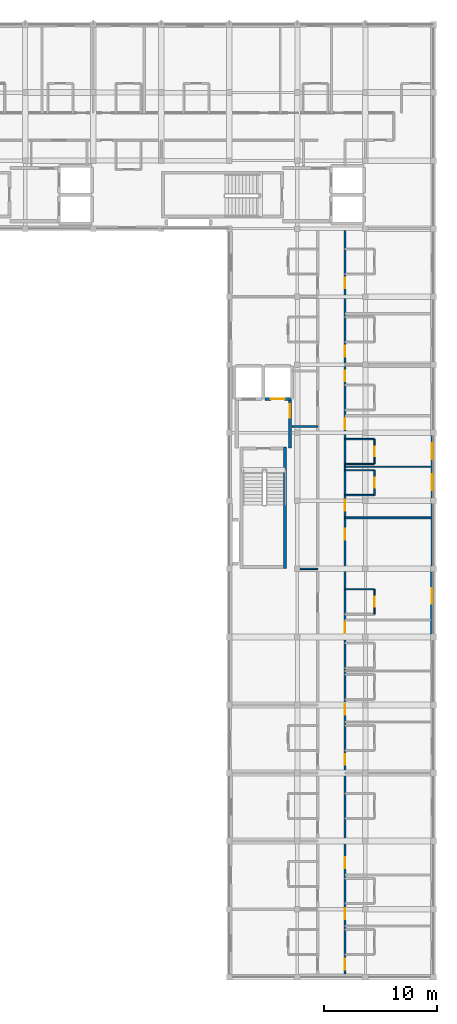
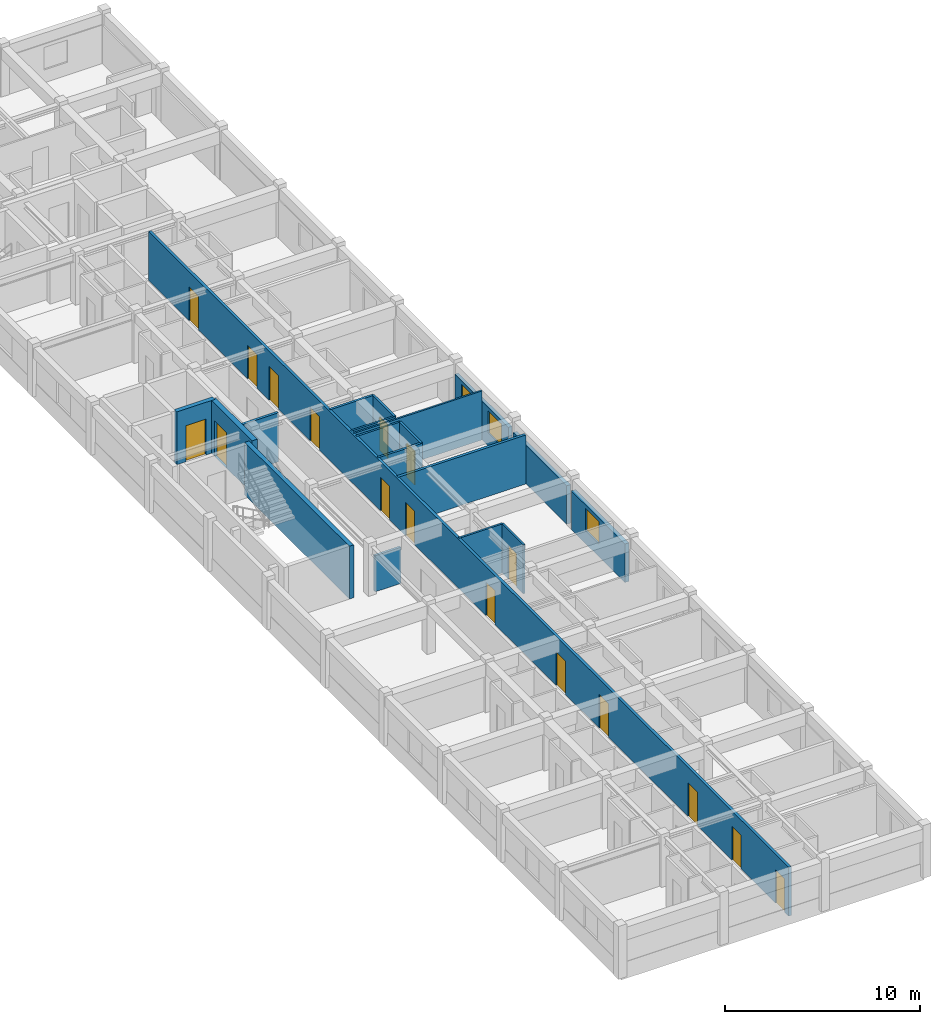
# One storey, part 5 of 15: 19 walls, 17 doors, 3 windows, 20 openings.
"""IFC4 building model written with IfcOpenShell, lengths in metres."""

from ifc_helpers import new_model, si_unit, direction, frame, frame_2d, origin, place, context, subcontext, project, spatial, rectangle, extrude, material, layer, layer_set, type_object, element, fill, save


model = new_model("IFC4")

# Units and contexts
model_context = context("Model", 3, precision=1e-05, world=origin(), true_north=direction((0.0, 1.0)))
body_context = subcontext(model_context, "Body", "Model", "MODEL_VIEW")
ifc_project = project(units=[si_unit("LENGTHUNIT", "METRE"), si_unit("AREAUNIT", "SQUARE_METRE"), si_unit("VOLUMEUNIT", "CUBIC_METRE"), si_unit("PLANEANGLEUNIT", "RADIAN"), si_unit("MASSUNIT", "GRAM", prefix="KILO"), si_unit("THERMODYNAMICTEMPERATUREUNIT", "KELVIN"), si_unit("POWERUNIT", "WATT")], contexts=[model_context])

# Site, building, storey
site_placement = place(None, origin())
site = spatial("IfcSite", under=ifc_project, at=site_placement, CompositionType="ELEMENT")
building_placement = place(site_placement, origin())
building = spatial("IfcBuilding", under=site, at=building_placement, Name="Phaisarnlok Congress Hotel", CompositionType="ELEMENT")
storey_placement = place(building_placement, frame((0.0, 0.0, 41.39990234375)))
storey = spatial("IfcBuildingStorey", under=building, at=storey_placement, Name="L10", CompositionType="ELEMENT", Elevation=41.39990234375)

# Wall, openings, windows
ifc_material_1 = material(Name="Concrete C40/50", Category="concrete")
ifc_layer_1 = layer(ifc_material_1, 0.2099609375, Name="Concrete C40/50")
ifc_layer_set_1 = layer_set([ifc_layer_1], Name="Concrete C40/50")
wall_type_1 = type_object("IfcWallType", Name="WL-EXT-210", PredefinedType="SOLIDWALL", material=ifc_layer_set_1)
wall_1_placement = place(storey_placement, frame((179.89501953125, 84.2548828125, 0.0), z_axis=(0.0, 0.0, 1.0), x_axis=(0.0, 1.0, 0.0)))
wall_1 = element("IfcWall", 1, at=wall_1_placement, inside=storey, type_object=wall_type_1, Name="Exterior wall EW-07 (L10)", PredefinedType="SOLIDWALL", context=body_context, shape_type="SweptSolid", body=[
    extrude(rectangle(XDim=5.490234375, YDim=0.2099609375, at=frame_2d((2.7451171875, 0.0))), origin(), (0.0, 0.0, 1.0), 2.41015625),
])
opening_1_placement = place(wall_1_placement, frame((0.681884765625, 0.0, 0.800048828125)))
opening_1 = element("IfcOpeningElement", 2, at=opening_1_placement, cuts=wall_1, Name="Opening W-13", PredefinedType="OPENING", context=body_context, shape_type="SweptSolid", body=[
    extrude(rectangle(XDim=1.39990234375, YDim=1.39990234375, at=frame_2d((0.699951171875, 0.699951171875))), frame((0.0, 0.114990234375, 0.0), z_axis=(0.0, -1.0, 0.0), x_axis=(1.0, 0.0, 0.0)), (0.0, 0.0, 1.0), 0.22998046875),
])
opening_2_placement = place(wall_1_placement, frame((3.407958984375, 0.0, 0.800048828125)))
opening_2 = element("IfcOpeningElement", 3, at=opening_2_placement, cuts=wall_1, Name="Opening W-13", PredefinedType="OPENING", context=body_context, shape_type="SweptSolid", body=[
    extrude(rectangle(XDim=1.39990234375, YDim=1.39990234375, at=frame_2d((0.699951171875, 0.699951171875))), frame((0.0, 0.114990234375, 0.0), z_axis=(0.0, -1.0, 0.0), x_axis=(1.0, 0.0, 0.0)), (0.0, 0.0, 1.0), 0.22998046875),
])
ifc_material_2 = material(Name="Thermally Broken Aluminium & Low-E Double Glazing", Category="aluminium")
window_type = type_object("IfcWindowType", Name="WIN-POD-1400", PartitioningType="SINGLE_PANEL", PredefinedType="WINDOW", material=ifc_material_2)
window_1_placement = place(opening_1_placement, origin())
window_1 = element("IfcWindow", 4, at=window_1_placement, inside=storey, type_object=window_type, Name="Guestroom window W-13 (L10)", OverallHeight=1.39990234375, OverallWidth=1.39990234375, PartitioningType="SINGLE_PANEL", PredefinedType="WINDOW", context=body_context, shape_type="SweptSolid", body=[
    extrude(rectangle(XDim=1.39990234375, YDim=1.39990234375, at=frame_2d((0.699951171875, 0.699951171875))), frame((0.0, 0.030029296875, 0.0), z_axis=(0.0, -1.0, 0.0), x_axis=(1.0, 0.0, 0.0)), (0.0, 0.0, 1.0), 0.06005859375),
])
fill(opening_1, window_1)
window_2_placement = place(opening_2_placement, origin())
window_2 = element("IfcWindow", 5, at=window_2_placement, inside=storey, type_object=window_type, Name="Guestroom window W-13 (L10)", OverallHeight=1.39990234375, OverallWidth=1.39990234375, PartitioningType="SINGLE_PANEL", PredefinedType="WINDOW", context=body_context, shape_type="SweptSolid", body=[
    extrude(rectangle(XDim=1.39990234375, YDim=1.39990234375, at=frame_2d((0.699951171875, 0.699951171875))), frame((0.0, 0.030029296875, 0.0), z_axis=(0.0, -1.0, 0.0), x_axis=(1.0, 0.0, 0.0)), (0.0, 0.0, 1.0), 0.06005859375),
])
fill(opening_2, window_2)

# Wall
ifc_layer_2 = layer(ifc_material_1, 0.22998046875, Name="Concrete C40/50")
ifc_layer_set_2 = layer_set([ifc_layer_2], Name="Concrete C40/50")
wall_type_2 = type_object("IfcWallType", Name="WL-EXT-230", PredefinedType="SOLIDWALL", material=ifc_layer_set_2)
wall_2_placement = place(storey_placement, frame((179.885009765625, 78.2548828125, 0.0), z_axis=(0.0, 0.0, 1.0), x_axis=(0.0, 1.0, 0.0)))
element("IfcWall", 6, at=wall_2_placement, inside=storey, type_object=wall_type_2, Name="Exterior wall EW-06 (L10)", PredefinedType="SOLIDWALL", context=body_context, shape_type="SweptSolid", body=[
    extrude(rectangle(XDim=5.490234375, YDim=0.22998046875, at=frame_2d((2.7451171875, 0.0))), origin(), (0.0, 0.0, 1.0), 2.41015625),
])

# Wall, opening, window
ifc_layer_3 = layer(ifc_material_1, 0.25, Name="Concrete C40/50")
ifc_layer_set_3 = layer_set([ifc_layer_3], Name="Concrete C40/50")
wall_type_3 = type_object("IfcWallType", Name="WL-EXT-250", PredefinedType="SOLIDWALL", material=ifc_layer_set_3)
wall_3_placement = place(storey_placement, frame((179.875, 72.2548828125, 0.0), z_axis=(0.0, 0.0, 1.0), x_axis=(0.0, 1.0, 0.0)))
wall_3 = element("IfcWall", 7, at=wall_3_placement, inside=storey, type_object=wall_type_3, Name="Exterior wall EW-05 (L10)", PredefinedType="SOLIDWALL", context=body_context, shape_type="SweptSolid", body=[
    extrude(rectangle(XDim=5.490234375, YDim=0.25, at=frame_2d((2.7451171875, 0.0))), origin(), (0.0, 0.0, 1.0), 2.41015625),
])
opening_3_placement = place(wall_3_placement, frame((2.657958984375, 0.0, 0.800048828125)))
opening_3 = element("IfcOpeningElement", 8, at=opening_3_placement, cuts=wall_3, Name="Opening W-13", PredefinedType="OPENING", context=body_context, shape_type="SweptSolid", body=[
    extrude(rectangle(XDim=1.39990234375, YDim=1.39990234375, at=frame_2d((0.699951171875, 0.699951171875))), frame((0.0, 0.135009765625, 0.0), z_axis=(0.0, -1.0, 0.0), x_axis=(1.0, 0.0, 0.0)), (0.0, 0.0, 1.0), 0.27001953125),
])
window_3_placement = place(opening_3_placement, origin())
window_3 = element("IfcWindow", 9, at=window_3_placement, inside=storey, type_object=window_type, Name="Guestroom window W-13 (L10)", OverallHeight=1.39990234375, OverallWidth=1.39990234375, PartitioningType="SINGLE_PANEL", PredefinedType="WINDOW", context=body_context, shape_type="SweptSolid", body=[
    extrude(rectangle(XDim=1.39990234375, YDim=1.39990234375, at=frame_2d((0.699951171875, 0.699951171875))), frame((0.0, 0.030029296875, 0.0), z_axis=(0.0, -1.0, 0.0), x_axis=(1.0, 0.0, 0.0)), (0.0, 0.0, 1.0), 0.06005859375),
])
fill(opening_3, window_3)

# Wall
ifc_material_3 = material(Name="Service Riser Shaftwall Partition", Category="gypsum")
ifc_layer_4 = layer(ifc_material_3, 0.10498046875, Name="Service Riser Shaftwall Partition")
ifc_layer_set_4 = layer_set([ifc_layer_4], Name="Service Riser Shaftwall Partition")
wall_type_4 = type_object("IfcWallType", Name="WL-INT-105", PredefinedType="PARTITIONING", material=ifc_layer_set_4)
wall_4_placement = place(storey_placement, frame((172.199951171875, 87.0, 0.0), z_axis=(0.0, 0.0, 1.0), x_axis=(1.0, 0.0, 0.0)))
element("IfcWall", 10, at=wall_4_placement, inside=storey, type_object=wall_type_4, Name="Interior partition wall IW-08 (L10)", PredefinedType="PARTITIONING", context=body_context, shape_type="SweptSolid", body=[
    extrude(rectangle(XDim=7.5849609375, YDim=0.10498046875, at=frame_2d((3.79248046875, 0.0))), origin(), (0.0, 0.0, 1.0), 3.06005859375),
])

# Wall, opening, door
ifc_material_4 = material(Name="Lightweight Metal-Stud Gypsum Partition", Category="gypsum")
ifc_layer_5 = layer(ifc_material_4, 0.1201171875, Name="Lightweight Metal-Stud Gypsum Partition")
ifc_layer_set_5 = layer_set([ifc_layer_5], Name="Lightweight Metal-Stud Gypsum Partition")
wall_type_5 = type_object("IfcWallType", Name="WL-INT-120", PredefinedType="PARTITIONING", material=ifc_layer_set_5)
wall_5_placement = place(storey_placement, frame((174.800048828125, 74.0, 0.0), z_axis=(0.0, 0.0, 1.0), x_axis=(0.0, 1.0, 0.0)))
wall_5 = element("IfcWall", 11, at=wall_5_placement, inside=storey, type_object=wall_type_5, Name="Interior partition wall IW-07 (L10)", PredefinedType="PARTITIONING", context=body_context, shape_type="SweptSolid", body=[
    extrude(rectangle(XDim=2.199951171875, YDim=0.1201171875, at=frame_2d((1.10009765625, 0.0))), origin(), (0.0, 0.0, 1.0), 3.06005859375),
])
opening_4_placement = place(wall_5_placement, frame((0.675048828125, 0.0, 0.0)))
opening_4 = element("IfcOpeningElement", 12, at=opening_4_placement, cuts=wall_5, Name="Opening D-0597", PredefinedType="OPENING", context=body_context, shape_type="SweptSolid", body=[
    extrude(rectangle(XDim=0.85009765625, YDim=2.10009765625, at=frame_2d((0.425048828125, 1.050048828125))), frame((0.0, 0.070068359375, 0.0), z_axis=(0.0, -1.0, 0.0), x_axis=(1.0, 0.0, 0.0)), (0.0, 0.0, 1.0), 0.14013671875),
])
ifc_material_5 = material(Name="Moisture-Resistant Lacquered Timber", Category="wood")
door_type_1 = type_object("IfcDoorType", Name="DR-BATH-850", OperationType="NOTDEFINED", PredefinedType="DOOR", material=ifc_material_5)
door_1_placement = place(opening_4_placement, origin())
door_1 = element("IfcDoor", 13, at=door_1_placement, inside=storey, type_object=door_type_1, Name="Interior door D-0597 (L10)", OperationType="SINGLE_SWING_LEFT", OverallHeight=2.10009765625, OverallWidth=0.85009765625, PredefinedType="DOOR", context=body_context, shape_type="SweptSolid", body=[
    extrude(rectangle(XDim=0.85009765625, YDim=2.10009765625, at=frame_2d((0.425048828125, 1.050048828125))), frame((0.0, 0.02490234375, 0.0), z_axis=(0.0, -1.0, 0.0), x_axis=(1.0, 0.0, 0.0)), (0.0, 0.0, 1.0), 0.050048828125),
])
fill(opening_4, door_1)

wall_6_placement = place(storey_placement, frame((174.800048828125, 87.25, 0.0), z_axis=(0.0, 0.0, 1.0), x_axis=(0.0, 1.0, 0.0)))
wall_6 = element("IfcWall", 14, at=wall_6_placement, inside=storey, type_object=wall_type_5, Name="Interior partition wall IW-07 (L10)", PredefinedType="PARTITIONING", context=body_context, shape_type="SweptSolid", body=[
    extrude(rectangle(XDim=2.199951171875, YDim=0.1201171875, at=frame_2d((1.10009765625, 0.0))), origin(), (0.0, 0.0, 1.0), 3.06005859375),
])
opening_5_placement = place(wall_6_placement, frame((0.675048828125, 0.0, 0.0)))
opening_5 = element("IfcOpeningElement", 15, at=opening_5_placement, cuts=wall_6, Name="Opening D-0601", PredefinedType="OPENING", context=body_context, shape_type="SweptSolid", body=[
    extrude(rectangle(XDim=0.85009765625, YDim=2.10009765625, at=frame_2d((0.425048828125, 1.050048828125))), frame((0.0, 0.070068359375, 0.0), z_axis=(0.0, -1.0, 0.0), x_axis=(1.0, 0.0, 0.0)), (0.0, 0.0, 1.0), 0.14013671875),
])
door_2_placement = place(opening_5_placement, origin())
door_2 = element("IfcDoor", 16, at=door_2_placement, inside=storey, type_object=door_type_1, Name="Interior door D-0601 (L10)", OperationType="SINGLE_SWING_LEFT", OverallHeight=2.10009765625, OverallWidth=0.85009765625, PredefinedType="DOOR", context=body_context, shape_type="SweptSolid", body=[
    extrude(rectangle(XDim=0.85009765625, YDim=2.10009765625, at=frame_2d((0.425048828125, 1.050048828125))), frame((0.0, 0.02490234375, 0.0), z_axis=(0.0, -1.0, 0.0), x_axis=(1.0, 0.0, 0.0)), (0.0, 0.0, 1.0), 0.050048828125),
])
fill(opening_5, door_2)

# Walls
for number, where, z_axis, x_axis, name in (
    (17, (172.199951171875, 76.199951171875, 0.0), (0.0, 0.0, 1.0), (1.0, 0.0, 0.0), "Interior partition wall IW-07 (L10)"),
    (18, (172.199951171875, 86.699951171875, 0.0), (0.0, 0.0, 1.0), (1.0, 0.0, 0.0), "Interior partition wall IW-07 (L10)"),
    (19, (172.199951171875, 87.25, 0.0), (0.0, 0.0, 1.0), (1.0, 0.0, 0.0), "Interior partition wall IW-07 (L10)"),
):
    element("IfcWall", number, at=place(storey_placement, frame(where, z_axis=z_axis, x_axis=x_axis)), inside=storey, type_object=wall_type_5, Name=name, PredefinedType="PARTITIONING", context=body_context, shape_type="SweptSolid", body=[
        extrude(rectangle(XDim=2.60009765625, YDim=0.1201171875, at=frame_2d((1.300048828125, 0.0))), origin(), (0.0, 0.0, 1.0), 3.06005859375),
    ])

# Wall, opening, door
ifc_material_6 = material(Name="Moisture-Resistant Gypsum Partition", Category="gypsum")
ifc_layer_6 = layer(ifc_material_6, 0.135009765625, Name="Moisture-Resistant Gypsum Partition")
ifc_layer_set_6 = layer_set([ifc_layer_6], Name="Moisture-Resistant Gypsum Partition")
wall_type_6 = type_object("IfcWallType", Name="WL-INT-135", PredefinedType="PARTITIONING", material=ifc_layer_set_6)
wall_7_placement = place(storey_placement, frame((174.800048828125, 84.5, 0.0), z_axis=(0.0, 0.0, 1.0), x_axis=(0.0, 1.0, 0.0)))
wall_7 = element("IfcWall", 20, at=wall_7_placement, inside=storey, type_object=wall_type_6, Name="Interior partition wall IW-06 (L10)", PredefinedType="PARTITIONING", context=body_context, shape_type="SweptSolid", body=[
    extrude(rectangle(XDim=2.199951171875, YDim=0.135009765625, at=frame_2d((1.10009765625, 0.0))), origin(), (0.0, 0.0, 1.0), 3.06005859375),
])
opening_6_placement = place(wall_7_placement, frame((0.675048828125, 0.0, 0.0)))
opening_6 = element("IfcOpeningElement", 21, at=opening_6_placement, cuts=wall_7, Name="Opening D-0599", PredefinedType="OPENING", context=body_context, shape_type="SweptSolid", body=[
    extrude(rectangle(XDim=0.85009765625, YDim=2.10009765625, at=frame_2d((0.425048828125, 1.050048828125))), frame((0.0, 0.07763671875, 0.0), z_axis=(0.0, -1.0, 0.0), x_axis=(1.0, 0.0, 0.0)), (0.0, 0.0, 1.0), 0.155029296875),
])
door_3_placement = place(opening_6_placement, origin())
door_3 = element("IfcDoor", 22, at=door_3_placement, inside=storey, type_object=door_type_1, Name="Interior door D-0599 (L10)", OperationType="SINGLE_SWING_LEFT", OverallHeight=2.10009765625, OverallWidth=0.85009765625, PredefinedType="DOOR", context=body_context, shape_type="SweptSolid", body=[
    extrude(rectangle(XDim=0.85009765625, YDim=2.10009765625, at=frame_2d((0.425048828125, 1.050048828125))), frame((0.0, 0.02490234375, 0.0), z_axis=(0.0, -1.0, 0.0), x_axis=(1.0, 0.0, 0.0)), (0.0, 0.0, 1.0), 0.050048828125),
])
fill(opening_6, door_3)

# Walls
wall_8_placement = place(storey_placement, frame((168.2548828125, 78.0, 0.0), z_axis=(0.0, 0.0, 1.0), x_axis=(1.0, 0.0, 0.0)))
element("IfcWall", 23, at=wall_8_placement, inside=storey, type_object=wall_type_6, Name="Interior partition wall IW-06 (L10)", PredefinedType="PARTITIONING", context=body_context, shape_type="SweptSolid", body=[
    extrude(rectangle(XDim=1.545166015625, YDim=0.135009765625, at=frame_2d((0.7724609375, 0.0))), origin(), (0.0, 0.0, 1.0), 2.260009765625),
])
for number, where, z_axis, x_axis, name in (
    (24, (172.199951171875, 84.5, 0.0), (0.0, 0.0, 1.0), (1.0, 0.0, 0.0), "Interior partition wall IW-06 (L10)"),
    (25, (172.199951171875, 89.449951171875, 0.0), (0.0, 0.0, 1.0), (1.0, 0.0, 0.0), "Interior partition wall IW-06 (L10)"),
):
    element("IfcWall", number, at=place(storey_placement, frame(where, z_axis=z_axis, x_axis=x_axis)), inside=storey, type_object=wall_type_6, Name=name, PredefinedType="PARTITIONING", context=body_context, shape_type="SweptSolid", body=[
        extrude(rectangle(XDim=2.60009765625, YDim=0.135009765625, at=frame_2d((1.300048828125, 0.0))), origin(), (0.0, 0.0, 1.0), 3.06005859375),
    ])
ifc_material_7 = material(Name="Acoustic Gypsum Board & Mineral Wool", Category="gypsum")
ifc_layer_7 = layer(ifc_material_7, 0.14990234375, Name="Acoustic Gypsum Board & Mineral Wool")
ifc_layer_set_7 = layer_set([ifc_layer_7], Name="Acoustic Gypsum Board & Mineral Wool")
wall_type_7 = type_object("IfcWallType", Name="WL-INT-150", PredefinedType="PARTITIONING", material=ifc_layer_set_7)
wall_9_placement = place(storey_placement, frame((167.56005859375, 90.550048828125, 0.0), z_axis=(0.0, 0.0, 1.0), x_axis=(1.0, 0.0, 0.0)))
element("IfcWall", 26, at=wall_9_placement, inside=storey, type_object=wall_type_7, Name="Interior partition wall IW-05 (L10)", PredefinedType="PARTITIONING", context=body_context, shape_type="SweptSolid", body=[
    extrude(rectangle(XDim=2.239990234375, YDim=0.14990234375, at=frame_2d((1.1201171875, 0.0))), origin(), (0.0, 0.0, 1.0), 3.06005859375),
])

# Wall, openings, doors
ifc_material_8 = material(Name="Double-Stud Acoustic Gypsum Partition", Category="gypsum")
ifc_layer_8 = layer(ifc_material_8, 0.159912109375, Name="Double-Stud Acoustic Gypsum Partition")
ifc_layer_set_8 = layer_set([ifc_layer_8], Name="Double-Stud Acoustic Gypsum Partition")
wall_type_8 = type_object("IfcWallType", Name="WL-INT-160", PredefinedType="PARTITIONING", material=ifc_layer_set_8)
wall_10_placement = place(storey_placement, frame((172.199951171875, 42.27490234375, 0.0), z_axis=(0.0, 0.0, 1.0), x_axis=(0.0, 1.0, 0.0)))
wall_10 = element("IfcWall", 27, at=wall_10_placement, inside=storey, type_object=wall_type_8, Name="Interior partition wall IW-04 (L10)", PredefinedType="PARTITIONING", context=body_context, shape_type="SweptSolid", body=[
    extrude(rectangle(XDim=65.545166015625, YDim=0.159912109375, at=frame_2d((32.7724609375, 0.0))), origin(), (0.0, 0.0, 1.0), 3.06005859375),
])
opening_7_placement = place(wall_10_placement, frame((0.39990234375, 0.0, 0.0)))
opening_7 = element("IfcOpeningElement", 28, at=opening_7_placement, cuts=wall_10, Name="Opening D-0586", PredefinedType="OPENING", context=body_context, shape_type="SweptSolid", body=[
    extrude(rectangle(XDim=0.949951171875, YDim=2.10009765625, at=frame_2d((0.47509765625, 1.050048828125))), frame((0.0, 0.08984375, 0.0), z_axis=(0.0, -1.0, 0.0), x_axis=(1.0, 0.0, 0.0)), (0.0, 0.0, 1.0), 0.179931640625),
])
opening_8_placement = place(wall_10_placement, frame((4.85009765625, 0.0, 0.0)))
opening_8 = element("IfcOpeningElement", 29, at=opening_8_placement, cuts=wall_10, Name="Opening D-0588", PredefinedType="OPENING", context=body_context, shape_type="SweptSolid", body=[
    extrude(rectangle(XDim=0.949951171875, YDim=2.10009765625, at=frame_2d((0.47509765625, 1.050048828125))), frame((0.0, 0.08984375, 0.0), z_axis=(0.0, -1.0, 0.0), x_axis=(1.0, 0.0, 0.0)), (0.0, 0.0, 1.0), 0.179931640625),
])
opening_9_placement = place(wall_10_placement, frame((9.35009765625, 0.0, 0.0)))
opening_9 = element("IfcOpeningElement", 30, at=opening_9_placement, cuts=wall_10, Name="Opening D-0590", PredefinedType="OPENING", context=body_context, shape_type="SweptSolid", body=[
    extrude(rectangle(XDim=0.949951171875, YDim=2.10009765625, at=frame_2d((0.47509765625, 1.050048828125))), frame((0.0, 0.08984375, 0.0), z_axis=(0.0, -1.0, 0.0), x_axis=(1.0, 0.0, 0.0)), (0.0, 0.0, 1.0), 0.179931640625),
])
opening_10_placement = place(wall_10_placement, frame((18.449951171875, 0.0, 0.0)))
opening_10 = element("IfcOpeningElement", 31, at=opening_10_placement, cuts=wall_10, Name="Opening D-0592", PredefinedType="OPENING", context=body_context, shape_type="SweptSolid", body=[
    extrude(rectangle(XDim=0.949951171875, YDim=2.10009765625, at=frame_2d((0.47509765625, 1.050048828125))), frame((0.0, 0.08984375, 0.0), z_axis=(0.0, -1.0, 0.0), x_axis=(1.0, 0.0, 0.0)), (0.0, 0.0, 1.0), 0.179931640625),
])
opening_11_placement = place(wall_10_placement, frame((22.85009765625, 0.0, 0.0)))
opening_11 = element("IfcOpeningElement", 32, at=opening_11_placement, cuts=wall_10, Name="Opening D-0594", PredefinedType="OPENING", context=body_context, shape_type="SweptSolid", body=[
    extrude(rectangle(XDim=0.949951171875, YDim=2.10009765625, at=frame_2d((0.47509765625, 1.050048828125))), frame((0.0, 0.08984375, 0.0), z_axis=(0.0, -1.0, 0.0), x_axis=(1.0, 0.0, 0.0)), (0.0, 0.0, 1.0), 0.179931640625),
])
opening_12_placement = place(wall_10_placement, frame((30.050048828125, 0.0, 0.0)))
opening_12 = element("IfcOpeningElement", 33, at=opening_12_placement, cuts=wall_10, Name="Opening D-0596", PredefinedType="OPENING", context=body_context, shape_type="SweptSolid", body=[
    extrude(rectangle(XDim=0.949951171875, YDim=2.10009765625, at=frame_2d((0.47509765625, 1.050048828125))), frame((0.0, 0.08984375, 0.0), z_axis=(0.0, -1.0, 0.0), x_axis=(1.0, 0.0, 0.0)), (0.0, 0.0, 1.0), 0.179931640625),
])
opening_13_placement = place(wall_10_placement, frame((38.300048828125, 0.0, 0.0)))
opening_13 = element("IfcOpeningElement", 34, at=opening_13_placement, cuts=wall_10, Name="Opening D-0598", PredefinedType="OPENING", context=body_context, shape_type="SweptSolid", body=[
    extrude(rectangle(XDim=0.949951171875, YDim=2.10009765625, at=frame_2d((0.47509765625, 1.050048828125))), frame((0.0, 0.08984375, 0.0), z_axis=(0.0, -1.0, 0.0), x_axis=(1.0, 0.0, 0.0)), (0.0, 0.0, 1.0), 0.179931640625),
])
opening_14_placement = place(wall_10_placement, frame((40.85009765625, 0.0, 0.0)))
opening_14 = element("IfcOpeningElement", 35, at=opening_14_placement, cuts=wall_10, Name="Opening D-0600", PredefinedType="OPENING", context=body_context, shape_type="SweptSolid", body=[
    extrude(rectangle(XDim=0.949951171875, YDim=2.10009765625, at=frame_2d((0.47509765625, 1.050048828125))), frame((0.0, 0.08984375, 0.0), z_axis=(0.0, -1.0, 0.0), x_axis=(1.0, 0.0, 0.0)), (0.0, 0.0, 1.0), 0.179931640625),
])
opening_15_placement = place(wall_10_placement, frame((48.050048828125, 0.0, 0.0)))
opening_15 = element("IfcOpeningElement", 36, at=opening_15_placement, cuts=wall_10, Name="Opening D-0602", PredefinedType="OPENING", context=body_context, shape_type="SweptSolid", body=[
    extrude(rectangle(XDim=0.949951171875, YDim=2.10009765625, at=frame_2d((0.47509765625, 1.050048828125))), frame((0.0, 0.08984375, 0.0), z_axis=(0.0, -1.0, 0.0), x_axis=(1.0, 0.0, 0.0)), (0.0, 0.0, 1.0), 0.179931640625),
])
opening_16_placement = place(wall_10_placement, frame((52.25, 0.0, 0.0)))
opening_16 = element("IfcOpeningElement", 37, at=opening_16_placement, cuts=wall_10, Name="Opening D-0604", PredefinedType="OPENING", context=body_context, shape_type="SweptSolid", body=[
    extrude(rectangle(XDim=0.949951171875, YDim=2.10009765625, at=frame_2d((0.47509765625, 1.050048828125))), frame((0.0, 0.08984375, 0.0), z_axis=(0.0, -1.0, 0.0), x_axis=(1.0, 0.0, 0.0)), (0.0, 0.0, 1.0), 0.179931640625),
])
opening_17_placement = place(wall_10_placement, frame((54.449951171875, 0.0, 0.0)))
opening_17 = element("IfcOpeningElement", 38, at=opening_17_placement, cuts=wall_10, Name="Opening D-0606", PredefinedType="OPENING", context=body_context, shape_type="SweptSolid", body=[
    extrude(rectangle(XDim=0.949951171875, YDim=2.10009765625, at=frame_2d((0.47509765625, 1.050048828125))), frame((0.0, 0.08984375, 0.0), z_axis=(0.0, -1.0, 0.0), x_axis=(1.0, 0.0, 0.0)), (0.0, 0.0, 1.0), 0.179931640625),
])
opening_18_placement = place(wall_10_placement, frame((60.449951171875, 0.0, 0.0)))
opening_18 = element("IfcOpeningElement", 39, at=opening_18_placement, cuts=wall_10, Name="Opening D-0608", PredefinedType="OPENING", context=body_context, shape_type="SweptSolid", body=[
    extrude(rectangle(XDim=0.949951171875, YDim=2.10009765625, at=frame_2d((0.47509765625, 1.050048828125))), frame((0.0, 0.08984375, 0.0), z_axis=(0.0, -1.0, 0.0), x_axis=(1.0, 0.0, 0.0)), (0.0, 0.0, 1.0), 0.179931640625),
])
ifc_material_9 = material(Name="Acoustic Solid-Core Teak Veneer", Category="wood")
door_type_2 = type_object("IfcDoorType", Name="DR-FD30-950", OperationType="NOTDEFINED", PredefinedType="DOOR", material=ifc_material_9)
door_4_placement = place(opening_7_placement, origin())
door_4 = element("IfcDoor", 40, at=door_4_placement, inside=storey, type_object=door_type_2, Name="Interior door D-0586 (L10)", OperationType="SINGLE_SWING_RIGHT", OverallHeight=2.10009765625, OverallWidth=0.949951171875, PredefinedType="DOOR", context=body_context, shape_type="SweptSolid", body=[
    extrude(rectangle(XDim=0.949951171875, YDim=2.10009765625, at=frame_2d((0.47509765625, 1.050048828125))), frame((0.0, 0.02490234375, 0.0), z_axis=(0.0, -1.0, 0.0), x_axis=(1.0, 0.0, 0.0)), (0.0, 0.0, 1.0), 0.050048828125),
])
fill(opening_7, door_4)
door_5_placement = place(opening_8_placement, origin())
door_5 = element("IfcDoor", 41, at=door_5_placement, inside=storey, type_object=door_type_2, Name="Interior door D-0588 (L10)", OperationType="SINGLE_SWING_RIGHT", OverallHeight=2.10009765625, OverallWidth=0.949951171875, PredefinedType="DOOR", context=body_context, shape_type="SweptSolid", body=[
    extrude(rectangle(XDim=0.949951171875, YDim=2.10009765625, at=frame_2d((0.47509765625, 1.050048828125))), frame((0.0, 0.02490234375, 0.0), z_axis=(0.0, -1.0, 0.0), x_axis=(1.0, 0.0, 0.0)), (0.0, 0.0, 1.0), 0.050048828125),
])
fill(opening_8, door_5)
door_6_placement = place(opening_9_placement, origin())
door_6 = element("IfcDoor", 42, at=door_6_placement, inside=storey, type_object=door_type_2, Name="Interior door D-0590 (L10)", OperationType="SINGLE_SWING_RIGHT", OverallHeight=2.10009765625, OverallWidth=0.949951171875, PredefinedType="DOOR", context=body_context, shape_type="SweptSolid", body=[
    extrude(rectangle(XDim=0.949951171875, YDim=2.10009765625, at=frame_2d((0.47509765625, 1.050048828125))), frame((0.0, 0.02490234375, 0.0), z_axis=(0.0, -1.0, 0.0), x_axis=(1.0, 0.0, 0.0)), (0.0, 0.0, 1.0), 0.050048828125),
])
fill(opening_9, door_6)
door_7_placement = place(opening_10_placement, origin())
door_7 = element("IfcDoor", 43, at=door_7_placement, inside=storey, type_object=door_type_2, Name="Interior door D-0592 (L10)", OperationType="SINGLE_SWING_RIGHT", OverallHeight=2.10009765625, OverallWidth=0.949951171875, PredefinedType="DOOR", context=body_context, shape_type="SweptSolid", body=[
    extrude(rectangle(XDim=0.949951171875, YDim=2.10009765625, at=frame_2d((0.47509765625, 1.050048828125))), frame((0.0, 0.02490234375, 0.0), z_axis=(0.0, -1.0, 0.0), x_axis=(1.0, 0.0, 0.0)), (0.0, 0.0, 1.0), 0.050048828125),
])
fill(opening_10, door_7)
door_8_placement = place(opening_11_placement, origin())
door_8 = element("IfcDoor", 44, at=door_8_placement, inside=storey, type_object=door_type_2, Name="Interior door D-0594 (L10)", OperationType="SINGLE_SWING_RIGHT", OverallHeight=2.10009765625, OverallWidth=0.949951171875, PredefinedType="DOOR", context=body_context, shape_type="SweptSolid", body=[
    extrude(rectangle(XDim=0.949951171875, YDim=2.10009765625, at=frame_2d((0.47509765625, 1.050048828125))), frame((0.0, 0.02490234375, 0.0), z_axis=(0.0, -1.0, 0.0), x_axis=(1.0, 0.0, 0.0)), (0.0, 0.0, 1.0), 0.050048828125),
])
fill(opening_11, door_8)
door_9_placement = place(opening_12_placement, origin())
door_9 = element("IfcDoor", 45, at=door_9_placement, inside=storey, type_object=door_type_2, Name="Interior door D-0596 (L10)", OperationType="SINGLE_SWING_RIGHT", OverallHeight=2.10009765625, OverallWidth=0.949951171875, PredefinedType="DOOR", context=body_context, shape_type="SweptSolid", body=[
    extrude(rectangle(XDim=0.949951171875, YDim=2.10009765625, at=frame_2d((0.47509765625, 1.050048828125))), frame((0.0, 0.02490234375, 0.0), z_axis=(0.0, -1.0, 0.0), x_axis=(1.0, 0.0, 0.0)), (0.0, 0.0, 1.0), 0.050048828125),
])
fill(opening_12, door_9)
door_10_placement = place(opening_13_placement, origin())
door_10 = element("IfcDoor", 46, at=door_10_placement, inside=storey, type_object=door_type_2, Name="Interior door D-0598 (L10)", OperationType="SINGLE_SWING_RIGHT", OverallHeight=2.10009765625, OverallWidth=0.949951171875, PredefinedType="DOOR", context=body_context, shape_type="SweptSolid", body=[
    extrude(rectangle(XDim=0.949951171875, YDim=2.10009765625, at=frame_2d((0.47509765625, 1.050048828125))), frame((0.0, 0.02490234375, 0.0), z_axis=(0.0, -1.0, 0.0), x_axis=(1.0, 0.0, 0.0)), (0.0, 0.0, 1.0), 0.050048828125),
])
fill(opening_13, door_10)
door_11_placement = place(opening_14_placement, origin())
door_11 = element("IfcDoor", 47, at=door_11_placement, inside=storey, type_object=door_type_2, Name="Interior door D-0600 (L10)", OperationType="SINGLE_SWING_RIGHT", OverallHeight=2.10009765625, OverallWidth=0.949951171875, PredefinedType="DOOR", context=body_context, shape_type="SweptSolid", body=[
    extrude(rectangle(XDim=0.949951171875, YDim=2.10009765625, at=frame_2d((0.47509765625, 1.050048828125))), frame((0.0, 0.02490234375, 0.0), z_axis=(0.0, -1.0, 0.0), x_axis=(1.0, 0.0, 0.0)), (0.0, 0.0, 1.0), 0.050048828125),
])
fill(opening_14, door_11)
door_12_placement = place(opening_15_placement, origin())
door_12 = element("IfcDoor", 48, at=door_12_placement, inside=storey, type_object=door_type_2, Name="Interior door D-0602 (L10)", OperationType="SINGLE_SWING_RIGHT", OverallHeight=2.10009765625, OverallWidth=0.949951171875, PredefinedType="DOOR", context=body_context, shape_type="SweptSolid", body=[
    extrude(rectangle(XDim=0.949951171875, YDim=2.10009765625, at=frame_2d((0.47509765625, 1.050048828125))), frame((0.0, 0.02490234375, 0.0), z_axis=(0.0, -1.0, 0.0), x_axis=(1.0, 0.0, 0.0)), (0.0, 0.0, 1.0), 0.050048828125),
])
fill(opening_15, door_12)
door_13_placement = place(opening_16_placement, origin())
door_13 = element("IfcDoor", 49, at=door_13_placement, inside=storey, type_object=door_type_2, Name="Interior door D-0604 (L10)", OperationType="SINGLE_SWING_RIGHT", OverallHeight=2.10009765625, OverallWidth=0.949951171875, PredefinedType="DOOR", context=body_context, shape_type="SweptSolid", body=[
    extrude(rectangle(XDim=0.949951171875, YDim=2.10009765625, at=frame_2d((0.47509765625, 1.050048828125))), frame((0.0, 0.02490234375, 0.0), z_axis=(0.0, -1.0, 0.0), x_axis=(1.0, 0.0, 0.0)), (0.0, 0.0, 1.0), 0.050048828125),
])
fill(opening_16, door_13)
door_14_placement = place(opening_17_placement, origin())
door_14 = element("IfcDoor", 50, at=door_14_placement, inside=storey, type_object=door_type_2, Name="Interior door D-0606 (L10)", OperationType="SINGLE_SWING_RIGHT", OverallHeight=2.10009765625, OverallWidth=0.949951171875, PredefinedType="DOOR", context=body_context, shape_type="SweptSolid", body=[
    extrude(rectangle(XDim=0.949951171875, YDim=2.10009765625, at=frame_2d((0.47509765625, 1.050048828125))), frame((0.0, 0.02490234375, 0.0), z_axis=(0.0, -1.0, 0.0), x_axis=(1.0, 0.0, 0.0)), (0.0, 0.0, 1.0), 0.050048828125),
])
fill(opening_17, door_14)
door_15_placement = place(opening_18_placement, origin())
door_15 = element("IfcDoor", 51, at=door_15_placement, inside=storey, type_object=door_type_2, Name="Interior door D-0608 (L10)", OperationType="SINGLE_SWING_RIGHT", OverallHeight=2.10009765625, OverallWidth=0.949951171875, PredefinedType="DOOR", context=body_context, shape_type="SweptSolid", body=[
    extrude(rectangle(XDim=0.949951171875, YDim=2.10009765625, at=frame_2d((0.47509765625, 1.050048828125))), frame((0.0, 0.02490234375, 0.0), z_axis=(0.0, -1.0, 0.0), x_axis=(1.0, 0.0, 0.0)), (0.0, 0.0, 1.0), 0.050048828125),
])
fill(opening_18, door_15)

# Walls
wall_11_placement = place(storey_placement, frame((172.199951171875, 82.5, 0.0), z_axis=(0.0, 0.0, 1.0), x_axis=(1.0, 0.0, 0.0)))
element("IfcWall", 52, at=wall_11_placement, inside=storey, type_object=wall_type_8, Name="Interior partition wall IW-04 (L10)", PredefinedType="PARTITIONING", context=body_context, shape_type="SweptSolid", body=[
    extrude(rectangle(XDim=7.56494140625, YDim=0.159912109375, at=frame_2d((3.782470703125, 0.0))), origin(), (0.0, 0.0, 1.0), 3.06005859375),
])
ifc_material_10 = material(Name="Concrete C50/60", Category="concrete")
ifc_layer_9 = layer(ifc_material_10, 0.260009765625, Name="Concrete C50/60")
ifc_layer_set_9 = layer_set([ifc_layer_9], Name="Concrete C50/60")
wall_type_9 = type_object("IfcWallType", Name="WL-SHR-260", PredefinedType="SHEAR", material=ifc_layer_set_9)
wall_12_placement = place(storey_placement, frame((166.929931640625, 78.0400390625, 0.0), z_axis=(0.0, 0.0, 1.0), x_axis=(0.0, 1.0, 0.0)))
element("IfcWall", 53, at=wall_12_placement, inside=storey, type_object=wall_type_9, Name="Stair shaft shear wall SW-04 (CORE-3 L10)", PredefinedType="SHEAR", context=body_context, shape_type="SweptSolid", body=[
    extrude(rectangle(XDim=10.719970703125, YDim=0.260009765625, at=frame_2d((5.35986328125, 0.0))), origin(), (0.0, 0.0, 1.0), 3.300048828125),
])

# Wall, opening, door
wall_13_placement = place(storey_placement, frame((165.14990234375, 92.969970703125, 0.0), z_axis=(0.0, 0.0, 1.0), x_axis=(1.0, 0.0, 0.0)))
wall_13 = element("IfcWall", 54, at=wall_13_placement, inside=storey, type_object=wall_type_9, Name="Lift shaft front wall SW-04 (LF-SV1 L10)", PredefinedType="SHEAR", context=body_context, shape_type="SweptSolid", body=[
    extrude(rectangle(XDim=2.25, YDim=0.260009765625, at=frame_2d((1.125, 0.0))), origin(), (0.0, 0.0, 1.0), 3.300048828125),
])
opening_19_placement = place(wall_13_placement, frame((0.52490234375, 0.0, 0.0)))
opening_19 = element("IfcOpeningElement", 55, at=opening_19_placement, cuts=wall_13, Name="Opening LD-087", PredefinedType="OPENING", context=body_context, shape_type="SweptSolid", body=[
    extrude(rectangle(XDim=1.199951171875, YDim=2.25, at=frame_2d((0.60009765625, 1.125))), frame((0.0, 0.14013671875, 0.0), z_axis=(0.0, -1.0, 0.0), x_axis=(1.0, 0.0, 0.0)), (0.0, 0.0, 1.0), 0.280029296875),
])
ifc_material_11 = material(Name="Brushed Stainless Steel Grade 304", Category="steel")
door_type_3 = type_object("IfcDoorType", Name="DR-LD-1200", OperationType="DOUBLE_DOOR_SLIDING", PredefinedType="DOOR", material=ifc_material_11)
door_16_placement = place(opening_19_placement, origin())
door_16 = element("IfcDoor", 56, at=door_16_placement, inside=storey, type_object=door_type_3, Name="Lift landing sliding door LD-087 (LF-SV1 L10)", OperationType="DOUBLE_DOOR_SLIDING", OverallHeight=2.25, OverallWidth=1.199951171875, PredefinedType="DOOR", context=body_context, shape_type="SweptSolid", body=[
    extrude(rectangle(XDim=1.199951171875, YDim=2.25, at=frame_2d((0.60009765625, 1.125))), frame((0.0, 0.02490234375, 0.0), z_axis=(0.0, -1.0, 0.0), x_axis=(1.0, 0.0, 0.0)), (0.0, 0.0, 1.0), 0.050048828125),
])
fill(opening_19, door_16)

ifc_layer_10 = layer(ifc_material_10, 0.300048828125, Name="Concrete C50/60")
ifc_layer_set_10 = layer_set([ifc_layer_10], Name="Concrete C50/60")
wall_type_10 = type_object("IfcWallType", Name="WL-SHR-300", PredefinedType="SHEAR", material=ifc_layer_set_10)
wall_14_placement = place(storey_placement, frame((167.35009765625, 88.679931640625, 0.0), z_axis=(0.0, 0.0, 1.0), x_axis=(0.0, 1.0, 0.0)))
wall_14 = element("IfcWall", 57, at=wall_14_placement, inside=storey, type_object=wall_type_10, Name="Core lobby EI-120 wall SW-03 (CORE-3 L10)", PredefinedType="SHEAR", context=body_context, shape_type="SweptSolid", body=[
    extrude(rectangle(XDim=4.239990234375, YDim=0.300048828125, at=frame_2d((2.1201171875, 0.0))), origin(), (0.0, 0.0, 1.0), 3.300048828125),
])
opening_20_placement = place(wall_14_placement, frame((2.64990234375, 0.0, 0.0)))
opening_20 = element("IfcOpeningElement", 58, at=opening_20_placement, cuts=wall_14, Name="Opening FD-087", PredefinedType="OPENING", context=body_context, shape_type="SweptSolid", body=[
    extrude(rectangle(XDim=1.199951171875, YDim=2.199951171875, at=frame_2d((0.60009765625, 1.10009765625))), frame((0.0, 0.16015625, 0.0), z_axis=(0.0, -1.0, 0.0), x_axis=(1.0, 0.0, 0.0)), (0.0, 0.0, 1.0), 0.320068359375),
])
ifc_material_12 = material(Name="Fire-Rated Steel Frame & Timber Leaf", Category="steel")
door_type_4 = type_object("IfcDoorType", Name="DR-FD60-1200", OperationType="NOTDEFINED", PredefinedType="DOOR", material=ifc_material_12)
door_17_placement = place(opening_20_placement, origin())
door_17 = element("IfcDoor", 59, at=door_17_placement, inside=storey, type_object=door_type_4, Name="Core lobby entrance door FD-087 (CORE-3 L10)", OperationType="SINGLE_SWING_RIGHT", OverallHeight=2.199951171875, OverallWidth=1.199951171875, PredefinedType="DOOR", context=body_context, shape_type="SweptSolid", body=[
    extrude(rectangle(XDim=1.199951171875, YDim=2.199951171875, at=frame_2d((0.60009765625, 1.10009765625))), frame((0.0, 0.02490234375, 0.0), z_axis=(0.0, -1.0, 0.0), x_axis=(1.0, 0.0, 0.0)), (0.0, 0.0, 1.0), 0.050048828125),
])
fill(opening_20, door_17)

save(model, "model.ifc")
